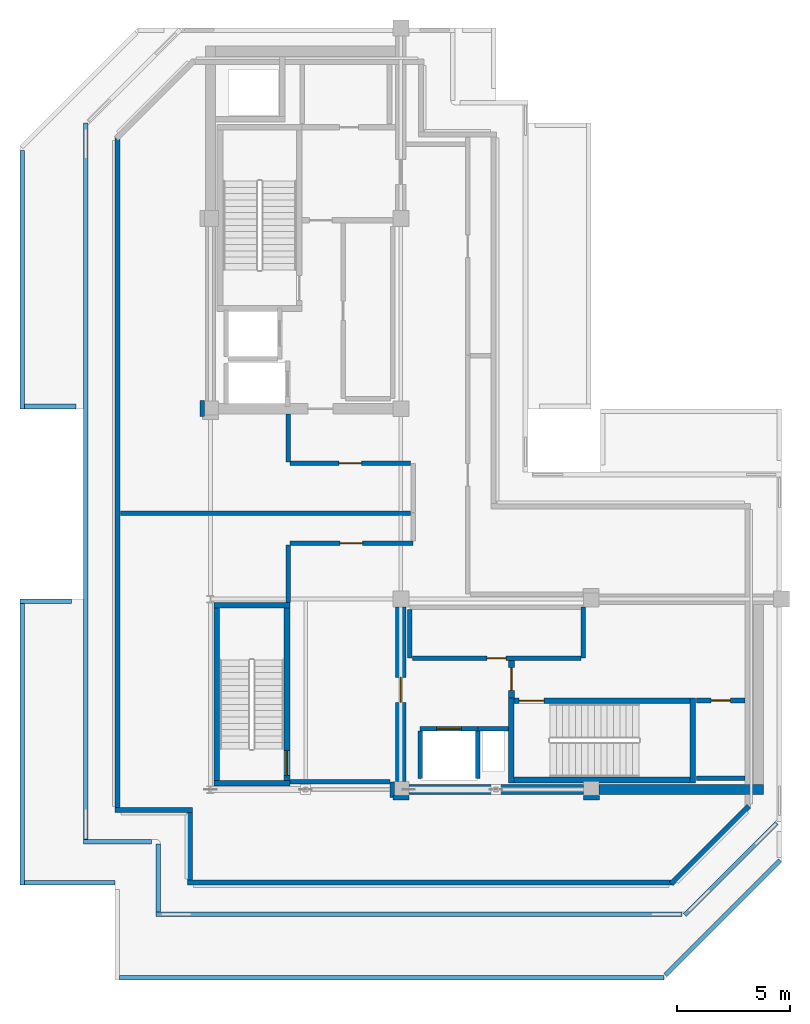
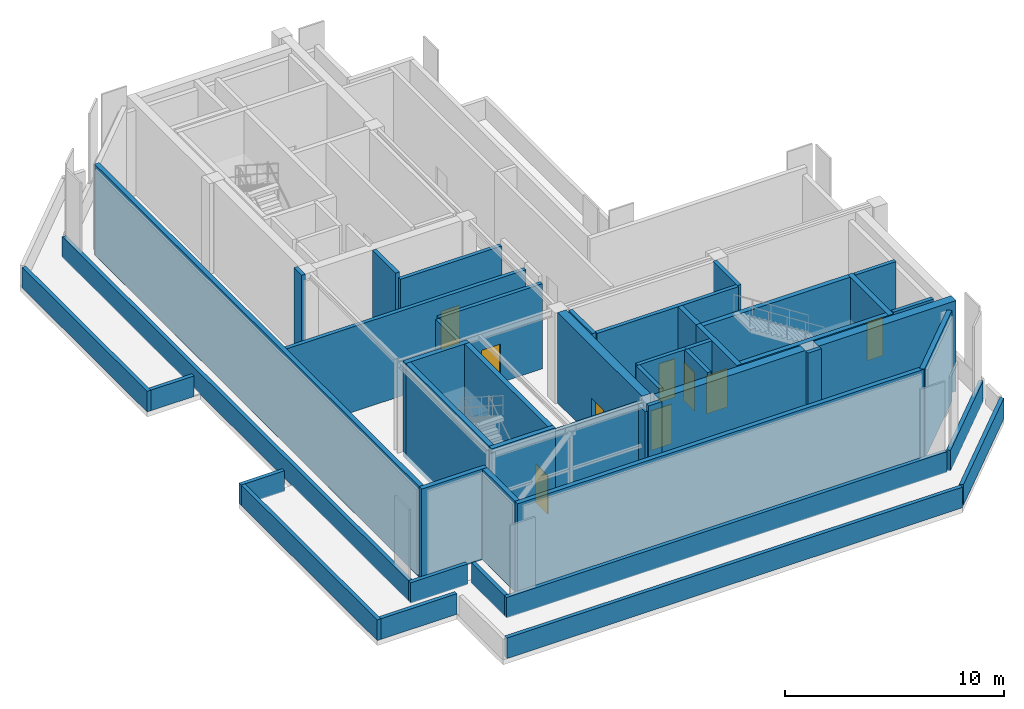
# One storey, part 4 of 9: 48 walls, 9 doors, 9 openings.
"""IFC4 building model written with IfcOpenShell, lengths in metres."""

from ifc_helpers import new_model, si_unit, direction, frame, frame_2d, origin, place, context, subcontext, project, spatial, rectangle, extrude, material, layer, layer_set, type_object, element, fill, save


model = new_model("IFC4")

# Units and contexts
model_context = context("Model", 3, precision=1e-05, world=origin(), true_north=direction((0.0, 1.0)))
body_context = subcontext(model_context, "Body", "Model", "MODEL_VIEW")
ifc_project = project(units=[si_unit("LENGTHUNIT", "METRE"), si_unit("AREAUNIT", "SQUARE_METRE"), si_unit("VOLUMEUNIT", "CUBIC_METRE"), si_unit("PLANEANGLEUNIT", "RADIAN"), si_unit("MASSUNIT", "GRAM", prefix="KILO")], contexts=[model_context])

# Site, building, storey
site_placement = place(None, origin())
site = spatial("IfcSite", under=ifc_project, at=site_placement, CompositionType="ELEMENT")
building_placement = place(site_placement, origin())
building = spatial("IfcBuilding", under=site, at=building_placement, Name="Nerrivon Quay Data Exchange", CompositionType="ELEMENT")
storey_placement = place(building_placement, frame((0.0, 0.0, 333.0)))
storey = spatial("IfcBuildingStorey", under=building, at=storey_placement, Name="L79", CompositionType="ELEMENT", Elevation=333.0)

# Walls
ifc_material_1 = material(Name="Architectural terracotta precast concrete N50 (50 MPa)", Category="masonry")
ifc_layer_1 = layer(ifc_material_1, 0.239990234375)
ifc_layer_set_1 = layer_set([ifc_layer_1], Name="Architectural terracotta precast concrete N50 (50 MPa)")
wall_type_1 = type_object("IfcWallType", Name="EW-PREC-240", PredefinedType="STANDARD", material=ifc_layer_set_1)
wall_1_placement = place(storey_placement, frame((32.15283203125, 7.674072265625, 0.0), z_axis=(0.0, 0.0, 1.0), x_axis=(-0.707131968882, -0.707081592593, 0.0)))
element("IfcWall", 1, at=wall_1_placement, inside=storey, type_object=wall_type_1, Name="L79 Recessed Turbine Plant Wall 2", PredefinedType="STANDARD", context=body_context, shape_type="SweptSolid", body=[
    extrude(rectangle(XDim=4.846435546875, YDim=0.239990234375, at=frame_2d((2.42333984375, 0.0))), origin(), (0.0, 0.0, 1.0), 5.050048828125),
])
wall_2_placement = place(storey_placement, frame((28.853515625, 4.300048828125, 0.0), z_axis=(0.0, 0.0, 1.0), x_axis=(-1.0, 0.0, 0.0)))
element("IfcWall", 2, at=wall_2_placement, inside=storey, type_object=wall_type_1, Name="L79 Recessed Turbine Plant Wall 3", PredefinedType="STANDARD", context=body_context, shape_type="SweptSolid", body=[
    extrude(rectangle(XDim=21.4736328125, YDim=0.239990234375, at=frame_2d((10.73681640625, 0.0))), origin(), (0.0, 0.0, 1.0), 5.050048828125),
])
wall_3_placement = place(storey_placement, frame((7.5, 4.419921875, 0.0), z_axis=(0.0, 0.0, 1.0), x_axis=(0.0, 1.0, 0.0)))
element("IfcWall", 3, at=wall_3_placement, inside=storey, type_object=wall_type_1, Name="L79 Recessed Turbine Plant Wall 4", PredefinedType="STANDARD", context=body_context, shape_type="SweptSolid", body=[
    extrude(rectangle(XDim=2.9599609375, YDim=0.239990234375, at=frame_2d((1.47998046875, 0.0))), origin(), (0.0, 0.0, 1.0), 5.050048828125),
])
wall_4_placement = place(storey_placement, frame((7.6201171875, 7.5, 0.0), z_axis=(0.0, 0.0, 1.0), x_axis=(-1.0, 0.0, 0.0)))
element("IfcWall", 4, at=wall_4_placement, inside=storey, type_object=wall_type_1, Name="L79 Recessed Turbine Plant Wall 5", PredefinedType="STANDARD", context=body_context, shape_type="SweptSolid", body=[
    extrude(rectangle(XDim=3.440185546875, YDim=0.239990234375, at=frame_2d((1.72021484375, 0.0))), origin(), (0.0, 0.0, 1.0), 5.050048828125),
])
wall_5_placement = place(storey_placement, frame((4.300048828125, 7.6201171875, 0.0), z_axis=(0.0, 0.0, 1.0), x_axis=(0.0, 1.0, 0.0)))
element("IfcWall", 5, at=wall_5_placement, inside=storey, type_object=wall_type_1, Name="L79 Recessed Turbine Plant Wall 6", PredefinedType="STANDARD", context=body_context, shape_type="SweptSolid", body=[
    extrude(rectangle(XDim=29.63330078125, YDim=0.239990234375, at=frame_2d((14.816650390625, 0.0))), origin(), (0.0, 0.0, 1.0), 5.050048828125),
])
ifc_material_2 = material(Name="Precast concrete N50 (50 MPa)", Category="concrete")
ifc_layer_2 = layer(ifc_material_2, 0.199951171875)
ifc_layer_set_2 = layer_set([ifc_layer_2], Name="Precast concrete N50 (50 MPa)")
wall_type_2 = type_object("IfcWallType", Name="PAR-RC-1", PredefinedType="PARAPET", material=ifc_layer_set_2)
wall_6_placement = place(storey_placement, frame((2.280029296875, 16.699951171875, 0.0), z_axis=(0.0, 0.0, 1.0), x_axis=(-1.0, 0.0, 0.0)))
element("IfcWall", 6, at=wall_6_placement, inside=storey, type_object=wall_type_2, Name="L79 Stepped Crown Parapet 1.3", PredefinedType="PARAPET", context=body_context, shape_type="SweptSolid", body=[
    extrude(rectangle(XDim=2.280029296875, YDim=0.199951171875, at=frame_2d((1.14013671875, 0.0))), origin(), (0.0, 0.0, 1.0), 1.14990234375),
])
wall_7_placement = place(storey_placement, frame((0.10009765625, 16.60009765625, 0.0), z_axis=(0.0, 0.0, 1.0), x_axis=(0.0, -1.0, 0.0)))
element("IfcWall", 7, at=wall_7_placement, inside=storey, type_object=wall_type_2, Name="L79 Stepped Crown Parapet 1.4", PredefinedType="PARAPET", context=body_context, shape_type="SweptSolid", body=[
    extrude(rectangle(XDim=12.400146484375, YDim=0.199951171875, at=frame_2d((6.2001953125, 0.0))), origin(), (0.0, 0.0, 1.0), 1.14990234375),
])
wall_8_placement = place(storey_placement, frame((0.199951171875, 4.300048828125, 0.0), z_axis=(0.0, 0.0, 1.0), x_axis=(1.0, 0.0, 0.0)))
element("IfcWall", 8, at=wall_8_placement, inside=storey, type_object=wall_type_2, Name="L79 Stepped Crown Parapet 1.5", PredefinedType="PARAPET", context=body_context, shape_type="SweptSolid", body=[
    extrude(rectangle(XDim=4.0, YDim=0.199951171875, at=frame_2d((2.0, 0.0))), origin(), (0.0, 0.0, 1.0), 1.14990234375),
])
wall_9_placement = place(storey_placement, frame((4.39990234375, 0.10009765625, 0.0), z_axis=(0.0, 0.0, 1.0), x_axis=(1.0, 0.0, 0.0)))
element("IfcWall", 9, at=wall_9_placement, inside=storey, type_object=wall_type_2, Name="L79 Stepped Crown Parapet 1.7", PredefinedType="PARAPET", context=body_context, shape_type="SweptSolid", body=[
    extrude(rectangle(XDim=24.0, YDim=0.199951171875, at=frame_2d((12.0, 0.0))), origin(), (0.0, 0.0, 1.0), 1.14990234375),
])
wall_10_placement = place(storey_placement, frame((28.470703125, 0.212158203125, 0.0), z_axis=(0.0, 0.0, 1.0), x_axis=(0.707106781187, 0.707106781187, 0.0)))
element("IfcWall", 10, at=wall_10_placement, inside=storey, type_object=wall_type_2, Name="L79 Stepped Crown Parapet 1.8", PredefinedType="PARAPET", context=body_context, shape_type="SweptSolid", body=[
    extrude(rectangle(XDim=7.154052734375, YDim=0.199951171875, at=frame_2d((3.5771484375, 0.0))), origin(), (0.0, 0.0, 1.0), 1.14990234375),
])
wall_11_placement = place(storey_placement, frame((0.10009765625, 36.60009765625, 0.0), z_axis=(0.0, 0.0, 1.0), x_axis=(0.0, -1.0, 0.0)))
element("IfcWall", 11, at=wall_11_placement, inside=storey, type_object=wall_type_2, Name="L79 Stepped Crown Parapet 2.1", PredefinedType="PARAPET", context=body_context, shape_type="SweptSolid", body=[
    extrude(rectangle(XDim=11.400146484375, YDim=0.199951171875, at=frame_2d((5.7001953125, 0.0))), origin(), (0.0, 0.0, 1.0), 1.14990234375),
])
wall_12_placement = place(storey_placement, frame((0.199951171875, 25.300048828125, 0.0), z_axis=(0.0, 0.0, 1.0), x_axis=(1.0, 0.0, 0.0)))
element("IfcWall", 12, at=wall_12_placement, inside=storey, type_object=wall_type_2, Name="L79 Stepped Crown Parapet 2.2", PredefinedType="PARAPET", context=body_context, shape_type="SweptSolid", body=[
    extrude(rectangle(XDim=2.280029296875, YDim=0.199951171875, at=frame_2d((1.14013671875, 0.0))), origin(), (0.0, 0.0, 1.0), 1.14990234375),
])
wall_13_placement = place(storey_placement, frame((33.387939453125, 6.92919921875, 0.0), z_axis=(0.0, 0.0, 1.0), x_axis=(-0.707106781187, -0.707106781187, 0.0)))
element("IfcWall", 13, at=wall_13_placement, inside=storey, type_object=wall_type_2, Name="L79 Turbine Slot Perimeter Parapet 1", PredefinedType="PARAPET", context=body_context, shape_type="SweptSolid", body=[
    extrude(rectangle(XDim=5.73974609375, YDim=0.199951171875, at=frame_2d((2.869873046875, 0.0))), origin(), (0.0, 0.0, 1.0), 1.14990234375),
])
wall_14_placement = place(storey_placement, frame((29.199951171875, 2.89990234375, 0.0), z_axis=(0.0, 0.0, 1.0), x_axis=(-1.0, 0.0, 0.0)))
element("IfcWall", 14, at=wall_14_placement, inside=storey, type_object=wall_type_2, Name="L79 Turbine Slot Perimeter Parapet 2", PredefinedType="PARAPET", context=body_context, shape_type="SweptSolid", body=[
    extrude(rectangle(XDim=23.199951171875, YDim=0.199951171875, at=frame_2d((11.60009765625, 0.0))), origin(), (0.0, 0.0, 1.0), 1.14990234375),
])
for number, where, z_axis, x_axis, name in (
    (15, (6.10009765625, 3.0, 0.0), (0.0, 0.0, 1.0), (0.0, 1.0, 0.0), "L79 Turbine Slot Perimeter Parapet 3"),
    (16, (5.800048828125, 6.10009765625, 0.0), (0.0, 0.0, 1.0), (-1.0, 0.0, 0.0), "L79 Turbine Slot Perimeter Parapet 4"),
):
    element("IfcWall", number, at=place(storey_placement, frame(where, z_axis=z_axis, x_axis=x_axis)), inside=storey, type_object=wall_type_2, Name=name, PredefinedType="PARAPET", context=body_context, shape_type="SweptSolid", body=[
        extrude(rectangle(XDim=3.0, YDim=0.199951171875, at=frame_2d((1.5, 0.0))), origin(), (0.0, 0.0, 1.0), 1.14990234375),
    ])
wall_15_placement = place(storey_placement, frame((2.89990234375, 6.199951171875, 0.0), z_axis=(0.0, 0.0, 1.0), x_axis=(0.0, 1.0, 0.0)))
element("IfcWall", 17, at=wall_15_placement, inside=storey, type_object=wall_type_2, Name="L79 Turbine Slot Perimeter Parapet 5", PredefinedType="PARAPET", context=body_context, shape_type="SweptSolid", body=[
    extrude(rectangle(XDim=31.60009765625, YDim=0.199951171875, at=frame_2d((15.800048828125, 0.0))), origin(), (0.0, 0.0, 1.0), 1.14990234375),
])
ifc_material_3 = material(Name="Concrete N50 (50 MPa)", Category="concrete")
ifc_layer_3 = layer(ifc_material_3, 0.449951171875)
ifc_layer_set_3 = layer_set([ifc_layer_3], Name="Concrete N50 (50 MPa)")
wall_type_3 = type_object("IfcWallType", Name="WALL-CW-550", PredefinedType="SHEAR", material=ifc_layer_set_3)
wall_16_placement = place(storey_placement, frame((17.14990234375, 8.39990234375, 0.0), z_axis=(0.0, 0.0, 1.0), x_axis=(1.0, 0.0, 0.0)))
element("IfcWall", 18, at=wall_16_placement, inside=storey, type_object=wall_type_3, Name="L79 East Split-Core Shear Wall ECW-S1", PredefinedType="SHEAR", context=body_context, shape_type="SweptSolid", body=[
    extrude(rectangle(XDim=7.7001953125, YDim=0.449951171875, at=frame_2d((3.85009765625, 0.0))), origin(), (0.0, 0.0, 1.0), 5.050048828125),
])
wall_17_placement = place(storey_placement, frame((25.550048828125, 8.39990234375, 0.0), z_axis=(0.0, 0.0, 1.0), x_axis=(1.0, 0.0, 0.0)))
element("IfcWall", 19, at=wall_17_placement, inside=storey, type_object=wall_type_3, Name="L79 East Split-Core Shear Wall ECW-S2", PredefinedType="SHEAR", context=body_context, shape_type="SweptSolid", body=[
    extrude(rectangle(XDim=7.25, YDim=0.449951171875, at=frame_2d((3.625, 0.0))), origin(), (0.0, 0.0, 1.0), 5.050048828125),
])

# Wall, opening, door
wall_18_placement = place(storey_placement, frame((16.800048828125, 8.75, 0.0), z_axis=(0.0, 0.0, 1.0), x_axis=(0.0, 1.0, 0.0)))
wall_18 = element("IfcWall", 20, at=wall_18_placement, inside=storey, type_object=wall_type_3, Name="L79 East Split-Core Shear Wall ECW-W1", PredefinedType="SHEAR", context=body_context, shape_type="SweptSolid", body=[
    extrude(rectangle(XDim=7.699951171875, YDim=0.449951171875, at=frame_2d((3.85009765625, 0.0))), origin(), (0.0, 0.0, 1.0), 5.050048828125),
])
opening_1_placement = place(wall_18_placement, frame((3.5, 0.0, 0.0)))
opening_1 = element("IfcOpeningElement", 21, at=opening_1_placement, cuts=wall_18, Name="Opening FD-120", PredefinedType="OPENING", context=body_context, shape_type="SweptSolid", body=[
    extrude(rectangle(XDim=1.10009765625, YDim=2.14990234375, at=frame_2d((0.550048828125, 1.074951171875))), frame((0.0, 0.23486328125, 0.0), z_axis=(0.0, -1.0, 0.0), x_axis=(1.0, 0.0, 0.0)), (0.0, 0.0, 1.0), 0.469970703125),
])
ifc_material_4 = material(Name="Powder-coated galvanized steel sheet", Category="steel")
door_type_1 = type_object("IfcDoorType", Name="DR-FD120-1100", OperationType="NOTDEFINED", PredefinedType="DOOR", material=ifc_material_4)
door_1_placement = place(opening_1_placement, origin())
door_1 = element("IfcDoor", 22, at=door_1_placement, inside=storey, type_object=door_type_1, Name="L79 East Core Lobby Fire Door", OperationType="SINGLE_SWING_RIGHT", OverallHeight=2.14990234375, OverallWidth=1.10009765625, PredefinedType="DOOR", context=body_context, shape_type="SweptSolid", body=[
    extrude(rectangle(XDim=1.10009765625, YDim=2.14990234375, at=frame_2d((0.550048828125, 1.074951171875))), frame((0.0, 0.02490234375, 0.0), z_axis=(0.0, -1.0, 0.0), x_axis=(1.0, 0.0, 0.0)), (0.0, 0.0, 1.0), 0.050048828125),
])
fill(opening_1, door_1)

# Wall
ifc_material_5 = material(Name="Gypsum plasterboard on cold-formed framing", Category="gypsum")
ifc_layer_4 = layer(ifc_material_5, 0.199951171875)
ifc_layer_set_4 = layer_set([ifc_layer_4], Name="Gypsum plasterboard on cold-formed framing")
wall_type_4 = type_object("IfcWallType", Name="WALL-FW-200", PredefinedType="PARTITIONING", material=ifc_layer_set_4)
wall_19_placement = place(storey_placement, frame((20.199951171875, 11.080078125, 0.0), z_axis=(0.0, 0.0, 1.0), x_axis=(1.0, 0.0, 0.0)))
element("IfcWall", 23, at=wall_19_placement, inside=storey, type_object=wall_type_4, Name="L79 East Core MEP Riser Shaft Wall N", PredefinedType="PARTITIONING", context=body_context, shape_type="SweptSolid", body=[
    extrude(rectangle(XDim=1.35009765625, YDim=0.199951171875, at=frame_2d((0.675048828125, 0.0))), origin(), (0.0, 0.0, 1.0), 5.050048828125),
])

# Wall, opening, door
wall_20_placement = place(storey_placement, frame((17.64990234375, 11.080078125, 0.0), z_axis=(0.0, 0.0, 1.0), x_axis=(1.0, 0.0, 0.0)))
wall_20 = element("IfcWall", 24, at=wall_20_placement, inside=storey, type_object=wall_type_4, Name="L79 Lift Front Wall FFL-2", PredefinedType="PARTITIONING", context=body_context, shape_type="SweptSolid", body=[
    extrude(rectangle(XDim=2.550048828125, YDim=0.199951171875, at=frame_2d((1.27490234375, 0.0))), origin(), (0.0, 0.0, 1.0), 5.050048828125),
])
opening_2_placement = place(wall_20_placement, frame((0.72509765625, 0.0, 0.0)))
opening_2 = element("IfcOpeningElement", 25, at=opening_2_placement, cuts=wall_20, Name="Opening LD-120", PredefinedType="OPENING", context=body_context, shape_type="SweptSolid", body=[
    extrude(rectangle(XDim=1.10009765625, YDim=2.199951171875, at=frame_2d((0.550048828125, 1.10009765625))), frame((0.0, 0.10986328125, 0.0), z_axis=(0.0, -1.0, 0.0), x_axis=(1.0, 0.0, 0.0)), (0.0, 0.0, 1.0), 0.219970703125),
])
door_type_2 = type_object("IfcDoorType", Name="DR-LIFT-LD120", OperationType="DOUBLE_DOOR_SLIDING", PredefinedType="DOOR", material=ifc_material_4)
door_2_placement = place(opening_2_placement, origin())
door_2 = element("IfcDoor", 26, at=door_2_placement, inside=storey, type_object=door_type_2, Name="L79 Lift Landing Sliding Door FFL-2", OperationType="DOUBLE_DOOR_SLIDING", OverallHeight=2.199951171875, OverallWidth=1.10009765625, PredefinedType="DOOR", context=body_context, shape_type="SweptSolid", body=[
    extrude(rectangle(XDim=1.10009765625, YDim=2.199951171875, at=frame_2d((0.550048828125, 1.10009765625))), frame((0.0, 0.02490234375, 0.0), z_axis=(0.0, -1.0, 0.0), x_axis=(1.0, 0.0, 0.0)), (0.0, 0.0, 1.0), 0.050048828125),
])
fill(opening_2, door_2)

# Walls
for number, where, z_axis, x_axis, name in (
    (27, (20.199951171875, 8.8798828125, 0.0), (0.0, 0.0, 1.0), (0.0, 1.0, 0.0), "L79 Lift Shaft Wall FFL-2 EAST"),
    (28, (17.64990234375, 8.8798828125, 0.0), (0.0, 0.0, 1.0), (0.0, 1.0, 0.0), "L79 Lift Shaft Wall FFL-2 WEST"),
):
    element("IfcWall", number, at=place(storey_placement, frame(where, z_axis=z_axis, x_axis=x_axis)), inside=storey, type_object=wall_type_4, Name=name, PredefinedType="PARTITIONING", context=body_context, shape_type="SweptSolid", body=[
        extrude(rectangle(XDim=2.10009765625, YDim=0.199951171875, at=frame_2d((1.050048828125, 0.0))), origin(), (0.0, 0.0, 1.0), 5.050048828125),
    ])
wall_21_placement = place(storey_placement, frame((24.85009765625, 14.199951171875, 0.0), z_axis=(0.0, 0.0, 1.0), x_axis=(0.0, 1.0, 0.0)))
element("IfcWall", 29, at=wall_21_placement, inside=storey, type_object=wall_type_4, Name="L79 Partition High-Zone Telemetry Equipment Store", PredefinedType="PARTITIONING", context=body_context, shape_type="SweptSolid", body=[
    extrude(rectangle(XDim=2.2451171875, YDim=0.199951171875, at=frame_2d((1.12255859375, 0.0))), origin(), (0.0, 0.0, 1.0), 5.050048828125),
])
wall_22_placement = place(storey_placement, frame((17.199951171875, 16.345947265625, 0.0), z_axis=(0.0, 0.0, 1.0), x_axis=(0.0, -1.0, 0.0)))
element("IfcWall", 30, at=wall_22_placement, inside=storey, type_object=wall_type_4, Name="L79 Partition High-Zone Telemetry Equipment Store", PredefinedType="PARTITIONING", context=body_context, shape_type="SweptSolid", body=[
    extrude(rectangle(XDim=2.14599609375, YDim=0.199951171875, at=frame_2d((1.072998046875, 0.0))), origin(), (0.0, 0.0, 1.0), 5.050048828125),
])

# Wall, opening, door
wall_23_placement = place(storey_placement, frame((17.303955078125, 14.199951171875, 0.0), z_axis=(0.0, 0.0, 1.0), x_axis=(1.0, 0.0, 0.0)))
wall_23 = element("IfcWall", 31, at=wall_23_placement, inside=storey, type_object=wall_type_4, Name="L79 Partition High-Zone Telemetry Equipment Store", PredefinedType="PARTITIONING", context=body_context, shape_type="SweptSolid", body=[
    extrude(rectangle(XDim=7.442138671875, YDim=0.199951171875, at=frame_2d((3.72119140625, 0.0))), origin(), (0.0, 0.0, 1.0), 5.050048828125),
])
opening_3_placement = place(wall_23_placement, frame((3.2958984375, 0.0, 0.0)))
opening_3 = element("IfcOpeningElement", 32, at=opening_3_placement, cuts=wall_23, Name="Opening FD-60S", PredefinedType="OPENING", context=body_context, shape_type="SweptSolid", body=[
    extrude(rectangle(XDim=0.85009765625, YDim=2.14990234375, at=frame_2d((0.425048828125, 1.074951171875))), frame((0.0, 0.10986328125, 0.0), z_axis=(0.0, -1.0, 0.0), x_axis=(1.0, 0.0, 0.0)), (0.0, 0.0, 1.0), 0.219970703125),
])
ifc_material_6 = material(Name="Engineered hardwood timber", Category="wood")
door_type_3 = type_object("IfcDoorType", Name="DR-FD60-850", OperationType="NOTDEFINED", PredefinedType="DOOR", material=ifc_material_6)
door_3_placement = place(opening_3_placement, origin())
door_3 = element("IfcDoor", 33, at=door_3_placement, inside=storey, type_object=door_type_3, Name="L79 Door High-Zone Telemetry Equipment Store", OperationType="SINGLE_SWING_RIGHT", OverallHeight=2.14990234375, OverallWidth=0.85009765625, PredefinedType="DOOR", context=body_context, shape_type="SweptSolid", body=[
    extrude(rectangle(XDim=0.85009765625, YDim=2.14990234375, at=frame_2d((0.425048828125, 1.074951171875))), frame((0.0, 0.02490234375, 0.0), z_axis=(0.0, -1.0, 0.0), x_axis=(1.0, 0.0, 0.0)), (0.0, 0.0, 1.0), 0.050048828125),
])
fill(opening_3, door_3)

wall_24_placement = place(storey_placement, frame((31.97607421875, 12.330078125, 0.0), z_axis=(0.0, 0.0, 1.0), x_axis=(-1.0, 0.0, 0.0)))
wall_24 = element("IfcWall", 34, at=wall_24_placement, inside=storey, type_object=wall_type_4, Name="L79 Partition East Telecom Closet", PredefinedType="PARTITIONING", context=body_context, shape_type="SweptSolid", body=[
    extrude(rectangle(XDim=2.1259765625, YDim=0.199951171875, at=frame_2d((1.06298828125, 0.0))), origin(), (0.0, 0.0, 1.0), 5.050048828125),
])
opening_4_placement = place(wall_24_placement, frame((0.637939453125, 0.0, 0.0)))
opening_4 = element("IfcOpeningElement", 35, at=opening_4_placement, cuts=wall_24, Name="Opening FD-60S", PredefinedType="OPENING", context=body_context, shape_type="SweptSolid", body=[
    extrude(rectangle(XDim=0.85009765625, YDim=2.14990234375, at=frame_2d((0.425048828125, 1.074951171875))), frame((0.0, 0.10986328125, 0.0), z_axis=(0.0, -1.0, 0.0), x_axis=(1.0, 0.0, 0.0)), (0.0, 0.0, 1.0), 0.219970703125),
])
door_4_placement = place(opening_4_placement, origin())
door_4 = element("IfcDoor", 36, at=door_4_placement, inside=storey, type_object=door_type_3, Name="L79 Door East Telecom Closet", OperationType="SINGLE_SWING_LEFT", OverallHeight=2.14990234375, OverallWidth=0.85009765625, PredefinedType="DOOR", context=body_context, shape_type="SweptSolid", body=[
    extrude(rectangle(XDim=0.85009765625, YDim=2.14990234375, at=frame_2d((0.425048828125, 1.074951171875))), frame((0.0, 0.02490234375, 0.0), z_axis=(0.0, -1.0, 0.0), x_axis=(1.0, 0.0, 0.0)), (0.0, 0.0, 1.0), 0.050048828125),
])
fill(opening_4, door_4)

# Walls
wall_25_placement = place(storey_placement, frame((29.85009765625, 8.89990234375, 0.0), z_axis=(0.0, 0.0, 1.0), x_axis=(1.0, 0.0, 0.0)))
element("IfcWall", 37, at=wall_25_placement, inside=storey, type_object=wall_type_4, Name="L79 Partition East Telecom Closet", PredefinedType="PARTITIONING", context=body_context, shape_type="SweptSolid", body=[
    extrude(rectangle(XDim=2.1259765625, YDim=0.199951171875, at=frame_2d((1.06298828125, 0.0))), origin(), (0.0, 0.0, 1.0), 5.050048828125),
])
for number, where, z_axis, x_axis, name in (
    (38, (25.553955078125, 8.030517578125, 0.0), (0.0, 0.0, 1.0), (-0.999999759375, -0.000693721651, 0.0), "L79 Partition Crown Turbine Slot Switchgear Room"),
    (39, (17.15380859375, 8.030517578125, 0.0), (0.0, 0.0, 1.0), (-0.999999759375, -0.000693721651, 0.0), "L79 Partition Crown Turbine Slot Switchgear Room"),
):
    element("IfcWall", number, at=place(storey_placement, frame(where, z_axis=z_axis, x_axis=x_axis)), inside=storey, type_object=wall_type_4, Name=name, PredefinedType="PARTITIONING", context=body_context, shape_type="SweptSolid", body=[
        extrude(rectangle(XDim=0.703857421875, YDim=0.199951171875, at=frame_2d((0.35205078125, 0.0))), origin(), (0.0, 0.0, 1.0), 5.050048828125),
    ])
wall_26_placement = place(storey_placement, frame((16.429931640625, 8.050048828125, 0.0), z_axis=(0.0, 0.0, 1.0), x_axis=(0.0, 1.0, 0.0)))
element("IfcWall", 40, at=wall_26_placement, inside=storey, type_object=wall_type_4, Name="L79 Partition Crown Turbine Slot Switchgear Room", PredefinedType="PARTITIONING", context=body_context, shape_type="SweptSolid", body=[
    extrude(rectangle(XDim=0.68994140625, YDim=0.199951171875, at=frame_2d((0.344970703125, 0.0))), origin(), (0.0, 0.0, 1.0), 4.69091796875),
])
wall_27_placement = place(storey_placement, frame((16.325927734375, 8.739990234375, 0.0), z_axis=(0.0, 0.0, 1.0), x_axis=(-1.0, 0.0, 0.0)))
element("IfcWall", 41, at=wall_27_placement, inside=storey, type_object=wall_type_4, Name="L79 Partition Crown Turbine Slot Switchgear Room", PredefinedType="PARTITIONING", context=body_context, shape_type="SweptSolid", body=[
    extrude(rectangle(XDim=4.426025390625, YDim=0.199951171875, at=frame_2d((2.212890625, 0.0))), origin(), (0.0, 0.0, 1.0), 4.7939453125),
])
wall_28_placement = place(storey_placement, frame((11.840087890625, 16.654052734375, 0.0), z_axis=(0.0, 0.0, 1.0), x_axis=(0.0, 1.0, 0.0)))
element("IfcWall", 42, at=wall_28_placement, inside=storey, type_object=wall_type_4, Name="L79 Partition Crown Turbine Slot Switchgear Room", PredefinedType="PARTITIONING", context=body_context, shape_type="SweptSolid", body=[
    extrude(rectangle(XDim=2.5458984375, YDim=0.199951171875, at=frame_2d((1.27294921875, 0.0))), origin(), (0.0, 0.0, 1.0), 4.69091796875),
])

# Wall, opening, door
wall_29_placement = place(storey_placement, frame((11.89990234375, 19.260009765625, 0.0), z_axis=(0.0, 0.0, 1.0), x_axis=(1.0, 0.0, 0.0)))
wall_29 = element("IfcWall", 43, at=wall_29_placement, inside=storey, type_object=wall_type_4, Name="L79 Partition Crown Turbine Slot Switchgear Room", PredefinedType="PARTITIONING", context=body_context, shape_type="SweptSolid", body=[
    extrude(rectangle(XDim=5.440185546875, YDim=0.199951171875, at=frame_2d((2.72021484375, 0.0))), origin(), (0.0, 0.0, 1.0), 4.742919921875),
])
opening_5_placement = place(wall_29_placement, frame((2.219970703125, 0.0, 0.0)))
opening_5 = element("IfcOpeningElement", 44, at=opening_5_placement, cuts=wall_29, Name="Opening FD-60", PredefinedType="OPENING", context=body_context, shape_type="SweptSolid", body=[
    extrude(rectangle(XDim=1.0, YDim=2.14990234375, at=frame_2d((0.5, 1.074951171875))), frame((0.0, 0.10986328125, 0.0), z_axis=(0.0, -1.0, 0.0), x_axis=(1.0, 0.0, 0.0)), (0.0, 0.0, 1.0), 0.219970703125),
])
door_type_4 = type_object("IfcDoorType", Name="DR-FD60-1000", OperationType="NOTDEFINED", PredefinedType="DOOR", material=ifc_material_6)
door_5_placement = place(opening_5_placement, origin())
door_5 = element("IfcDoor", 45, at=door_5_placement, inside=storey, type_object=door_type_4, Name="L79 Door Crown Turbine Slot Switchgear Room", OperationType="SINGLE_SWING_RIGHT", OverallHeight=2.14990234375, OverallWidth=1.0, PredefinedType="DOOR", context=body_context, shape_type="SweptSolid", body=[
    extrude(rectangle(XDim=1.0, YDim=2.14990234375, at=frame_2d((0.5, 1.074951171875))), frame((0.0, 0.02490234375, 0.0), z_axis=(0.0, -1.0, 0.0), x_axis=(1.0, 0.0, 0.0)), (0.0, 0.0, 1.0), 0.050048828125),
])
fill(opening_5, door_5)

# Wall
wall_30_placement = place(storey_placement, frame((17.236083984375, 20.60009765625, 0.0), z_axis=(0.0, 0.0, 1.0), x_axis=(-1.0, 0.0, 0.0)))
element("IfcWall", 46, at=wall_30_placement, inside=storey, type_object=wall_type_4, Name="L79 Partition Crown Turbine Slot Switchgear Room", PredefinedType="PARTITIONING", context=body_context, shape_type="SweptSolid", body=[
    extrude(rectangle(XDim=12.81201171875, YDim=0.199951171875, at=frame_2d((6.406005859375, 0.0))), origin(), (0.0, 0.0, 1.0), 4.742919921875),
])

# Wall, opening, door
wall_31_placement = place(storey_placement, frame((17.236083984375, 22.7900390625, 0.0), z_axis=(0.0, 0.0, 1.0), x_axis=(-1.0, 0.0, 0.0)))
wall_31 = element("IfcWall", 47, at=wall_31_placement, inside=storey, type_object=wall_type_4, Name="L79 Partition Turbine Exhaust AHU Fan Room", PredefinedType="PARTITIONING", context=body_context, shape_type="SweptSolid", body=[
    extrude(rectangle(XDim=5.336181640625, YDim=0.199951171875, at=frame_2d((2.66796875, 0.0))), origin(), (0.0, 0.0, 1.0), 4.742919921875),
])
opening_6_placement = place(wall_31_placement, frame((2.16796875, 0.0, 0.0)))
opening_6 = element("IfcOpeningElement", 48, at=opening_6_placement, cuts=wall_31, Name="Opening FD-60", PredefinedType="OPENING", context=body_context, shape_type="SweptSolid", body=[
    extrude(rectangle(XDim=1.0, YDim=2.14990234375, at=frame_2d((0.5, 1.074951171875))), frame((0.0, 0.10986328125, 0.0), z_axis=(0.0, -1.0, 0.0), x_axis=(1.0, 0.0, 0.0)), (0.0, 0.0, 1.0), 0.219970703125),
])
door_6_placement = place(opening_6_placement, origin())
door_6 = element("IfcDoor", 49, at=door_6_placement, inside=storey, type_object=door_type_4, Name="L79 Door Turbine Exhaust AHU Fan Room", OperationType="SINGLE_SWING_LEFT", OverallHeight=2.14990234375, OverallWidth=1.0, PredefinedType="DOOR", context=body_context, shape_type="SweptSolid", body=[
    extrude(rectangle(XDim=1.0, YDim=2.14990234375, at=frame_2d((0.5, 1.074951171875))), frame((0.0, 0.02490234375, 0.0), z_axis=(0.0, -1.0, 0.0), x_axis=(1.0, 0.0, 0.0)), (0.0, 0.0, 1.0), 0.050048828125),
])
fill(opening_6, door_6)

# Walls
wall_32_placement = place(storey_placement, frame((11.840087890625, 22.85009765625, 0.0), z_axis=(0.0, 0.0, 1.0), x_axis=(0.0, 1.0, 0.0)))
element("IfcWall", 50, at=wall_32_placement, inside=storey, type_object=wall_type_4, Name="L79 Partition Turbine Exhaust AHU Fan Room", PredefinedType="PARTITIONING", context=body_context, shape_type="SweptSolid", body=[
    extrude(rectangle(XDim=2.120849609375, YDim=0.199951171875, at=frame_2d((1.060546875, 0.0))), origin(), (0.0, 0.0, 1.0), 5.050048828125),
])
wall_33_placement = place(storey_placement, frame((8.030029296875, 24.85009765625, 0.0), z_axis=(0.0, 0.0, 1.0), x_axis=(0.000693721651, 0.999999759375, 0.0)))
element("IfcWall", 51, at=wall_33_placement, inside=storey, type_object=wall_type_4, Name="L79 Partition Turbine Exhaust AHU Fan Room", PredefinedType="PARTITIONING", context=body_context, shape_type="SweptSolid", body=[
    extrude(rectangle(XDim=0.703857421875, YDim=0.199951171875, at=frame_2d((0.35205078125, 0.0))), origin(), (0.0, 0.0, 1.0), 5.050048828125),
])
ifc_layer_5 = layer(ifc_material_3, 0.25)
ifc_layer_set_5 = layer_set([ifc_layer_5], Name="Concrete N50 (50 MPa)")
wall_type_5 = type_object("IfcWallType", Name="WALL-SW-250", PredefinedType="SHEAR", material=ifc_layer_set_5)
for number, where, z_axis, x_axis, name in (
    (52, (21.675048828125, 8.699951171875, 0.0), (0.0, 0.0, 1.0), (0.0, 1.0, 0.0), "L79 ST02 Structural Stair Core Wall NEAR"),
    (53, (29.675048828125, 8.699951171875, 0.0), (0.0, 0.0, 1.0), (0.0, 1.0, 0.0), "L79 ST02 Structural Stair Core Wall FAR"),
):
    element("IfcWall", number, at=place(storey_placement, frame(where, z_axis=z_axis, x_axis=x_axis)), inside=storey, type_object=wall_type_5, Name=name, PredefinedType="SHEAR", context=body_context, shape_type="SweptSolid", body=[
        extrude(rectangle(XDim=3.75, YDim=0.25, at=frame_2d((1.875, 0.0))), origin(), (0.0, 0.0, 1.0), 5.050048828125),
    ])
wall_34_placement = place(storey_placement, frame((21.800048828125, 8.824951171875, 0.0), z_axis=(0.0, 0.0, 1.0), x_axis=(1.0, 0.0, 0.0)))
element("IfcWall", 54, at=wall_34_placement, inside=storey, type_object=wall_type_5, Name="L79 ST02 Structural Stair Core Wall LEFT", PredefinedType="SHEAR", context=body_context, shape_type="SweptSolid", body=[
    extrude(rectangle(XDim=7.75, YDim=0.25, at=frame_2d((3.875, 0.0))), origin(), (0.0, 0.0, 1.0), 5.050048828125),
])

# Wall, opening, door
wall_35_placement = place(storey_placement, frame((21.800048828125, 12.324951171875, 0.0), z_axis=(0.0, 0.0, 1.0), x_axis=(1.0, 0.0, 0.0)))
wall_35 = element("IfcWall", 55, at=wall_35_placement, inside=storey, type_object=wall_type_5, Name="L79 ST02 Structural Stair Core Wall RIGHT", PredefinedType="SHEAR", context=body_context, shape_type="SweptSolid", body=[
    extrude(rectangle(XDim=7.75, YDim=0.25, at=frame_2d((3.875, 0.0))), origin(), (0.0, 0.0, 1.0), 5.050048828125),
])
opening_7_placement = place(wall_35_placement, frame((0.219970703125, 0.0, 0.0)))
opening_7 = element("IfcOpeningElement", 56, at=opening_7_placement, cuts=wall_35, Name="Opening FD-120", PredefinedType="OPENING", context=body_context, shape_type="SweptSolid", body=[
    extrude(rectangle(XDim=1.10009765625, YDim=2.14990234375, at=frame_2d((0.550048828125, 1.074951171875))), frame((0.0, 0.135009765625, 0.0), z_axis=(0.0, -1.0, 0.0), x_axis=(1.0, 0.0, 0.0)), (0.0, 0.0, 1.0), 0.27001953125),
])
door_7_placement = place(opening_7_placement, origin())
door_7 = element("IfcDoor", 57, at=door_7_placement, inside=storey, type_object=door_type_1, Name="L79 Protected Stair Door ST02", OperationType="SINGLE_SWING_RIGHT", OverallHeight=2.14990234375, OverallWidth=1.10009765625, PredefinedType="DOOR", context=body_context, shape_type="SweptSolid", body=[
    extrude(rectangle(XDim=1.10009765625, YDim=2.14990234375, at=frame_2d((0.550048828125, 1.074951171875))), frame((0.0, 0.02490234375, 0.0), z_axis=(0.0, -1.0, 0.0), x_axis=(1.0, 0.0, 0.0)), (0.0, 0.0, 1.0), 0.050048828125),
])
fill(opening_7, door_7)

# Walls
for number, where, z_axis, x_axis, name in (
    (58, (11.89990234375, 8.675048828125, -0.27490234375), (0.0, 0.0, 1.0), (-1.0, 0.0, 0.0), "L79 ST08 Structural Stair Core Wall NEAR"),
    (59, (11.89990234375, 16.52490234375, -0.27490234375), (0.0, 0.0, 1.0), (-1.0, 0.0, 0.0), "L79 ST08 Structural Stair Core Wall FAR"),
):
    element("IfcWall", number, at=place(storey_placement, frame(where, z_axis=z_axis, x_axis=x_axis)), inside=storey, type_object=wall_type_5, Name=name, PredefinedType="SHEAR", context=body_context, shape_type="SweptSolid", body=[
        extrude(rectangle(XDim=3.349853515625, YDim=0.25, at=frame_2d((1.6748046875, 0.0))), origin(), (0.0, 0.0, 1.0), 5.324951171875),
    ])

# Wall, opening, door
wall_36_placement = place(storey_placement, frame((11.77490234375, 8.800048828125, -0.27490234375), z_axis=(0.0, 0.0, 1.0), x_axis=(0.0, 1.0, 0.0)))
wall_36 = element("IfcWall", 60, at=wall_36_placement, inside=storey, type_object=wall_type_5, Name="L79 ST08 Structural Stair Core Wall LEFT", PredefinedType="SHEAR", context=body_context, shape_type="SweptSolid", body=[
    extrude(rectangle(XDim=7.599853515625, YDim=0.25, at=frame_2d((3.7998046875, 0.0))), origin(), (0.0, 0.0, 1.0), 5.324951171875),
])
opening_8_placement = place(wall_36_placement, frame((0.219970703125, 0.0, 0.27490234375)))
opening_8 = element("IfcOpeningElement", 61, at=opening_8_placement, cuts=wall_36, Name="Opening FD-120", PredefinedType="OPENING", context=body_context, shape_type="SweptSolid", body=[
    extrude(rectangle(XDim=1.10009765625, YDim=2.14990234375, at=frame_2d((0.550048828125, 1.074951171875))), frame((0.0, 0.135009765625, 0.0), z_axis=(0.0, -1.0, 0.0), x_axis=(1.0, 0.0, 0.0)), (0.0, 0.0, 1.0), 0.27001953125),
])
door_8_placement = place(opening_8_placement, origin())
door_8 = element("IfcDoor", 62, at=door_8_placement, inside=storey, type_object=door_type_1, Name="L79 Protected Stair Door ST08", OperationType="SINGLE_SWING_LEFT", OverallHeight=2.14990234375, OverallWidth=1.10009765625, PredefinedType="DOOR", context=body_context, shape_type="SweptSolid", body=[
    extrude(rectangle(XDim=1.10009765625, YDim=2.14990234375, at=frame_2d((0.550048828125, 1.074951171875))), frame((0.0, 0.02490234375, 0.0), z_axis=(0.0, -1.0, 0.0), x_axis=(1.0, 0.0, 0.0)), (0.0, 0.0, 1.0), 0.050048828125),
])
fill(opening_8, door_8)

# Wall
wall_37_placement = place(storey_placement, frame((8.675048828125, 8.800048828125, -0.27490234375), z_axis=(0.0, 0.0, 1.0), x_axis=(0.0, 1.0, 0.0)))
element("IfcWall", 63, at=wall_37_placement, inside=storey, type_object=wall_type_5, Name="L79 ST08 Structural Stair Core Wall RIGHT", PredefinedType="SHEAR", context=body_context, shape_type="SweptSolid", body=[
    extrude(rectangle(XDim=7.599853515625, YDim=0.25, at=frame_2d((3.7998046875, 0.0))), origin(), (0.0, 0.0, 1.0), 5.324951171875),
])

# Wall, opening, door
wall_38_placement = place(storey_placement, frame((21.679931640625, 12.449951171875, 0.0), z_axis=(0.0, 0.0, 1.0), x_axis=(0.0, 1.0, 0.0)))
wall_38 = element("IfcWall", 64, at=wall_38_placement, inside=storey, type_object=wall_type_5, Name="L79 East Firefighting Lobby Wall", PredefinedType="SHEAR", context=body_context, shape_type="SweptSolid", body=[
    extrude(rectangle(XDim=1.650146484375, YDim=0.25, at=frame_2d((0.8251953125, 0.0))), origin(), (0.0, 0.0, 1.0), 5.050048828125),
])
opening_9_placement = place(wall_38_placement, frame((0.324951171875, 0.0, 0.0)))
opening_9 = element("IfcOpeningElement", 65, at=opening_9_placement, cuts=wall_38, Name="Opening FD-60", PredefinedType="OPENING", context=body_context, shape_type="SweptSolid", body=[
    extrude(rectangle(XDim=1.0, YDim=2.14990234375, at=frame_2d((0.5, 1.074951171875))), frame((0.0, 0.135009765625, 0.0), z_axis=(0.0, -1.0, 0.0), x_axis=(1.0, 0.0, 0.0)), (0.0, 0.0, 1.0), 0.27001953125),
])
door_9_placement = place(opening_9_placement, origin())
door_9 = element("IfcDoor", 66, at=door_9_placement, inside=storey, type_object=door_type_4, Name="L79 East Firefighting Lobby Fire Door", OperationType="SINGLE_SWING_LEFT", OverallHeight=2.14990234375, OverallWidth=1.0, PredefinedType="DOOR", context=body_context, shape_type="SweptSolid", body=[
    extrude(rectangle(XDim=1.0, YDim=2.14990234375, at=frame_2d((0.5, 1.074951171875))), frame((0.0, 0.02490234375, 0.0), z_axis=(0.0, -1.0, 0.0), x_axis=(1.0, 0.0, 0.0)), (0.0, 0.0, 1.0), 0.050048828125),
])
fill(opening_9, door_9)

save(model, "model.ifc")
